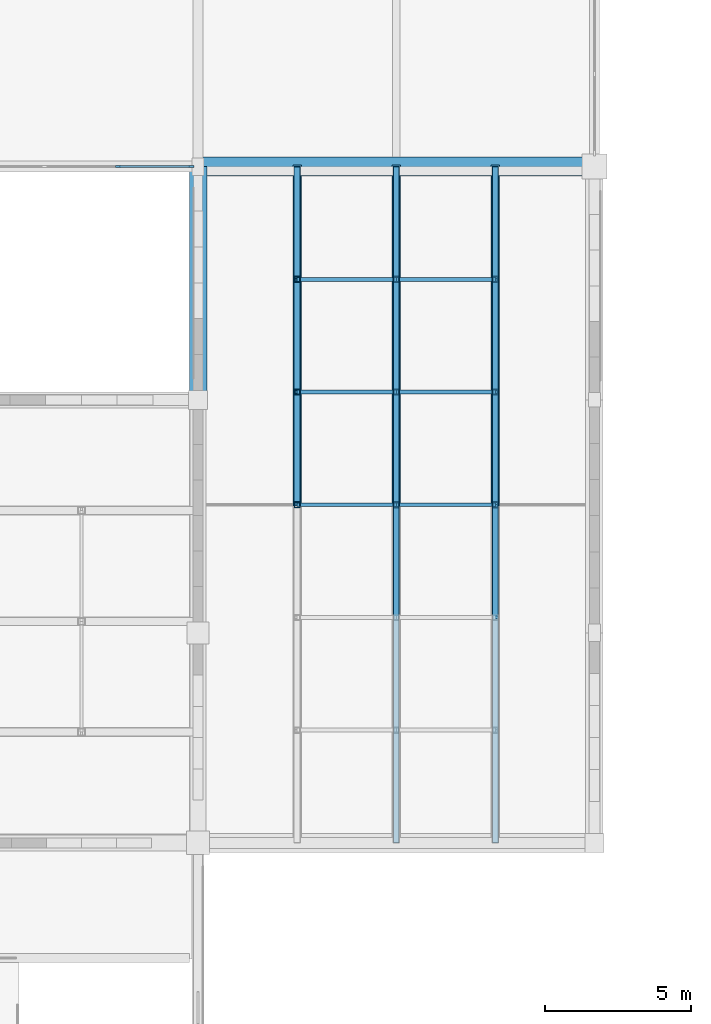
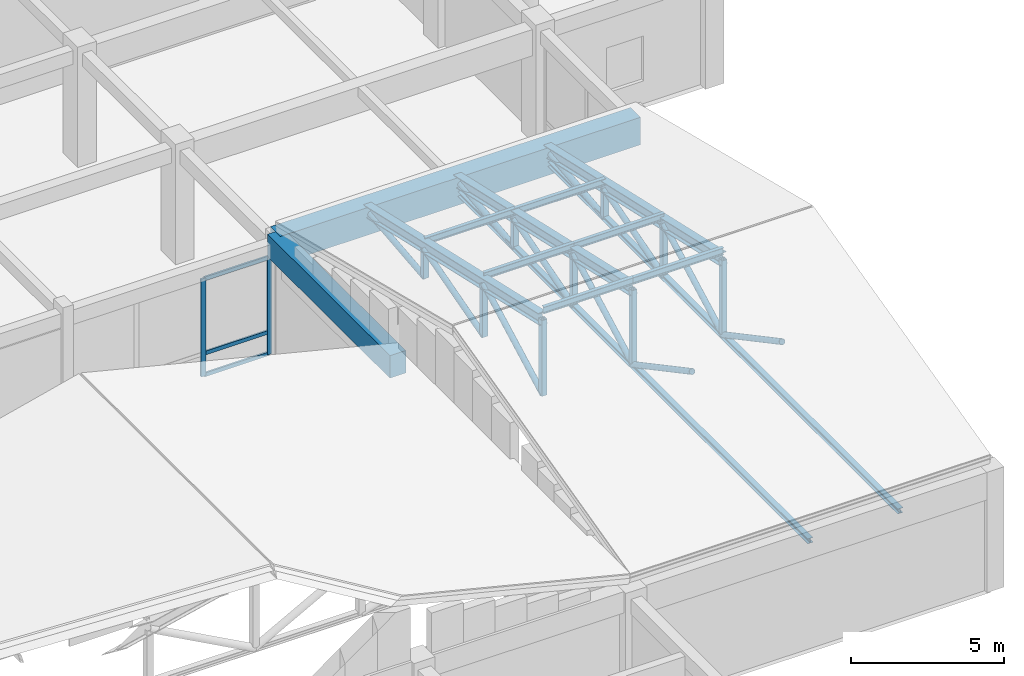
# One storey, part 30 of 61: 36 members, 2 beams, 1 element without a shape of its own.
"""IFC4 building model written with IfcOpenShell, lengths in metres."""

from ifc_helpers import new_model, si_unit, direction, frame, origin, origin_2d, place, context, subcontext, project, spatial, rectangle, hollow_rectangle, hollow_circle, i_section, extrude, material, material_profile, profile_set, type_object, element, aggregate, save


model = new_model("IFC4")

# Units and contexts
model_context = context("Model", 3, precision=1e-05, world=origin(), true_north=direction((0.0, 1.0)))
body_context = subcontext(model_context, "Body", "Model", "MODEL_VIEW")
ifc_project = project(units=[si_unit("LENGTHUNIT", "METRE"), si_unit("AREAUNIT", "SQUARE_METRE"), si_unit("VOLUMEUNIT", "CUBIC_METRE"), si_unit("PLANEANGLEUNIT", "RADIAN"), si_unit("MASSUNIT", "GRAM", prefix="KILO")], contexts=[model_context])

# Site, building, storey
site_placement = place(None, origin())
site = spatial("IfcSite", under=ifc_project, at=site_placement, CompositionType="ELEMENT")
building_placement = place(site_placement, origin())
building = spatial("IfcBuilding", under=site, at=building_placement, Name="Vellmiral Cinema and Media Centre", CompositionType="ELEMENT")
storey_placement = place(building_placement, frame((0.0, 0.0, 10.800048828125)))
storey = spatial("IfcBuildingStorey", under=building, at=storey_placement, Name="L02", CompositionType="ELEMENT", Elevation=10.800048828125)

# Curtain wall, members
ifc_material_1 = material(Name="Thermally Broken Aluminium and Triple Glazing", Category="aluminium")
curtain_wall_type = type_object("IfcCurtainWallType", Name="CW-POD-GALLERY", PredefinedType="USERDEFINED", material=ifc_material_1)
curtain_wall_placement = place(storey_placement, origin())
curtain_wall = element("IfcCurtainWall", 1, at=curtain_wall_placement, inside=storey, type_object=curtain_wall_type, Name="Curtain Wall L02-B023", ObjectType="STICK CURTAIN WALL", PredefinedType="USERDEFINED")
ifc_material_2 = material(Name="Thermally Broken Anodised Aluminium", Category="aluminium")
ifc_material_profile_1 = material_profile(ifc_material_2, rectangle(XDim=0.070068359375, YDim=0.179931640625, at=origin_2d()), Name="MULL 70x180")
ifc_profile_set_1 = profile_set([ifc_material_profile_1], Name="Thermally Broken Anodised Aluminium")
member_type_1 = type_object("IfcMemberType", Name="CWM-70x180", PredefinedType="MULLION", material=ifc_profile_set_1)
member_1_placement = place(storey_placement, frame((145.2666015625, 59.199951171875, 0.0), z_axis=(0.0, 0.0, 1.0), x_axis=(0.0, 1.0, 0.0)))
member_1 = element("IfcMember", 2, at=member_1_placement, type_object=member_type_1, Name="CW-04 mullion 3", PredefinedType="MULLION", context=body_context, shape_type="SweptSolid", body=[
    extrude(rectangle(XDim=0.070068359375, YDim=0.179931640625, at=origin_2d()), origin(), (0.0, 0.0, 1.0), 3.89990234375),
])
member_2_placement = place(storey_placement, frame((147.764892578125, 59.199951171875, 0.0), z_axis=(0.0, 0.0, 1.0), x_axis=(0.0, 1.0, 0.0)))
member_2 = element("IfcMember", 3, at=member_2_placement, type_object=member_type_1, Name="CW-04 mullion 4", PredefinedType="MULLION", context=body_context, shape_type="SweptSolid", body=[
    extrude(rectangle(XDim=0.070068359375, YDim=0.179931640625, at=origin_2d()), origin(), (0.0, 0.0, 1.0), 3.89990234375),
])
ifc_material_3 = material(Name="Thermally Broken Anodised Aluminium", Category="aluminium")
ifc_material_profile_2 = material_profile(ifc_material_3, rectangle(XDim=0.070068359375, YDim=0.14990234375, at=origin_2d()), Name="MULL 70x150")
ifc_profile_set_2 = profile_set([ifc_material_profile_2], Name="Thermally Broken Anodised Aluminium")
member_type_2 = type_object("IfcMemberType", Name="CWT-70x150", PredefinedType="USERDEFINED", material=ifc_profile_set_2)
member_3_placement = place(storey_placement, frame((145.3017578125, 59.199951171875, 0.034912109375), z_axis=(1.0, 0.0, 0.0), x_axis=(0.0, 1.0, 0.0)))
member_3 = element("IfcMember", 4, at=member_3_placement, type_object=member_type_2, Name="CW-04 transom 3.1", ObjectType="TRANSOM", PredefinedType="USERDEFINED", context=body_context, shape_type="SweptSolid", body=[
    extrude(rectangle(XDim=0.070068359375, YDim=0.14990234375, at=origin_2d()), origin(), (0.0, 0.0, 1.0), 2.42822265625),
])
member_4_placement = place(storey_placement, frame((145.3017578125, 59.199951171875, 0.89990234375), z_axis=(1.0, 0.0, 0.0), x_axis=(0.0, 1.0, 0.0)))
member_4 = element("IfcMember", 5, at=member_4_placement, type_object=member_type_2, Name="CW-04 transom 3.2", ObjectType="TRANSOM", PredefinedType="USERDEFINED", context=body_context, shape_type="SweptSolid", body=[
    extrude(rectangle(XDim=0.070068359375, YDim=0.14990234375, at=origin_2d()), origin(), (0.0, 0.0, 1.0), 2.42822265625),
])
member_5_placement = place(storey_placement, frame((145.3017578125, 59.199951171875, 3.864990234375), z_axis=(1.0, 0.0, 0.0), x_axis=(0.0, 1.0, 0.0)))
member_5 = element("IfcMember", 6, at=member_5_placement, type_object=member_type_2, Name="CW-04 transom 3.3", ObjectType="TRANSOM", PredefinedType="USERDEFINED", context=body_context, shape_type="SweptSolid", body=[
    extrude(rectangle(XDim=0.070068359375, YDim=0.14990234375, at=origin_2d()), origin(), (0.0, 0.0, 1.0), 2.42822265625),
])
aggregate(curtain_wall, [member_1, member_2, member_3, member_4, member_5])

# Members
ifc_material_4 = material(Name="Steel S355", Category="steel")
ifc_material_profile_3 = material_profile(ifc_material_4, i_section(OverallWidth=0.135009765625, OverallDepth=0.27001953125, WebThickness=0.006591796875, FlangeThickness=0.01025390625, FilletRadius=0.014892578125, at=origin_2d()), Name="IPE 270")
ifc_profile_set_3 = profile_set([ifc_material_profile_3], Name="Steel S355")
member_type_3 = type_object("IfcMemberType", Name="PRL-IPE270", PredefinedType="PURLIN", material=ifc_profile_set_3)
member_6_placement = place(storey_placement, frame((151.39990234375, 47.60009765625, 7.522216796875), z_axis=(1.0, 0.0, 0.0), x_axis=(0.0, 1.0, 0.0)))
element("IfcMember", 7, at=member_6_placement, inside=storey, type_object=member_type_3, Name="Roof Purlin 7.3.1", PredefinedType="PURLIN", context=body_context, shape_type="SweptSolid", body=[
    extrude(i_section(OverallWidth=0.135009765625, OverallDepth=0.27001953125, WebThickness=0.006591796875, FlangeThickness=0.01025390625, FilletRadius=0.014892578125, at=origin_2d()), origin(), (0.0, 0.0, 1.0), 3.400146484375),
])
member_7_placement = place(storey_placement, frame((154.800048828125, 47.60009765625, 7.522216796875), z_axis=(1.0, 0.0, 0.0), x_axis=(0.0, 1.0, 0.0)))
element("IfcMember", 8, at=member_7_placement, inside=storey, type_object=member_type_3, Name="Roof Purlin 7.3.2", PredefinedType="PURLIN", context=body_context, shape_type="SweptSolid", body=[
    extrude(i_section(OverallWidth=0.135009765625, OverallDepth=0.27001953125, WebThickness=0.006591796875, FlangeThickness=0.01025390625, FilletRadius=0.014892578125, at=origin_2d()), origin(), (0.0, 0.0, 1.0), 3.39990234375),
])
member_8_placement = place(storey_placement, frame((151.39990234375, 51.466552734375, 6.55810546875), z_axis=(1.0, 0.0, 0.0), x_axis=(0.0, 1.0, 0.0)))
element("IfcMember", 9, at=member_8_placement, inside=storey, type_object=member_type_3, Name="Roof Purlin 7.4.1", PredefinedType="PURLIN", context=body_context, shape_type="SweptSolid", body=[
    extrude(i_section(OverallWidth=0.135009765625, OverallDepth=0.27001953125, WebThickness=0.006591796875, FlangeThickness=0.01025390625, FilletRadius=0.014892578125, at=origin_2d()), origin(), (0.0, 0.0, 1.0), 3.400146484375),
])
member_9_placement = place(storey_placement, frame((154.800048828125, 51.466552734375, 6.55810546875), z_axis=(1.0, 0.0, 0.0), x_axis=(0.0, 1.0, 0.0)))
element("IfcMember", 10, at=member_9_placement, inside=storey, type_object=member_type_3, Name="Roof Purlin 7.4.2", PredefinedType="PURLIN", context=body_context, shape_type="SweptSolid", body=[
    extrude(i_section(OverallWidth=0.135009765625, OverallDepth=0.27001953125, WebThickness=0.006591796875, FlangeThickness=0.01025390625, FilletRadius=0.014892578125, at=origin_2d()), origin(), (0.0, 0.0, 1.0), 3.39990234375),
])
member_10_placement = place(storey_placement, frame((151.39990234375, 55.333251953125, 5.593994140625), z_axis=(1.0, 0.0, 0.0), x_axis=(0.0, 1.0, 0.0)))
element("IfcMember", 11, at=member_10_placement, inside=storey, type_object=member_type_3, Name="Roof Purlin 7.5.1", PredefinedType="PURLIN", context=body_context, shape_type="SweptSolid", body=[
    extrude(i_section(OverallWidth=0.135009765625, OverallDepth=0.27001953125, WebThickness=0.006591796875, FlangeThickness=0.01025390625, FilletRadius=0.014892578125, at=origin_2d()), origin(), (0.0, 0.0, 1.0), 3.400146484375),
])
member_11_placement = place(storey_placement, frame((154.800048828125, 55.333251953125, 5.593994140625), z_axis=(1.0, 0.0, 0.0), x_axis=(0.0, 1.0, 0.0)))
element("IfcMember", 12, at=member_11_placement, inside=storey, type_object=member_type_3, Name="Roof Purlin 7.5.2", PredefinedType="PURLIN", context=body_context, shape_type="SweptSolid", body=[
    extrude(i_section(OverallWidth=0.135009765625, OverallDepth=0.27001953125, WebThickness=0.006591796875, FlangeThickness=0.01025390625, FilletRadius=0.014892578125, at=origin_2d()), origin(), (0.0, 0.0, 1.0), 3.39990234375),
])

# Beams
ifc_material_5 = material(Name="Concrete C40/50", Category="concrete")
ifc_material_profile_4 = material_profile(ifc_material_5, rectangle(XDim=0.60009765625, YDim=0.89990234375, at=origin_2d()), Name="RC 600x900")
ifc_profile_set_4 = profile_set([ifc_material_profile_4], Name="Concrete C40/50")
beam_type_1 = type_object("IfcBeamType", Name="RING-BM-600x900", PredefinedType="BEAM", material=ifc_profile_set_4)
beam_1_placement = place(storey_placement, frame((148.0, 51.199951171875, 4.349853515625), z_axis=(0.0, 1.0, 0.0), x_axis=(-1.0, 0.0, 0.0)))
element("IfcBeam", 13, at=beam_1_placement, inside=storey, type_object=beam_type_1, Name="Cinema Screen 7 Ring Beam 03", PredefinedType="BEAM", context=body_context, shape_type="SweptSolid", body=[
    extrude(rectangle(XDim=0.60009765625, YDim=0.89990234375, at=origin_2d()), origin(), (0.0, 0.0, 1.0), 8.0),
])
ifc_material_6 = material(Name="Concrete C40/50", Category="concrete")
ifc_material_profile_5 = material_profile(ifc_material_6, rectangle(XDim=0.64990234375, YDim=1.10009765625, at=origin_2d()), Name="RC 650x1100")
ifc_profile_set_5 = profile_set([ifc_material_profile_5], Name="Concrete C40/50")
beam_type_2 = type_object("IfcBeamType", Name="RING-BMG-650x1100", PredefinedType="BEAM", material=ifc_profile_set_5)
beam_2_placement = place(storey_placement, frame((148.0, 59.199951171875, 4.25), z_axis=(1.0, 0.0, 0.0), x_axis=(0.0, 1.0, 0.0)))
element("IfcBeam", 14, at=beam_2_placement, inside=storey, type_object=beam_type_2, Name="Cinema Screen 7 Ring Beam 02", PredefinedType="BEAM", context=body_context, shape_type="SweptSolid", body=[
    extrude(rectangle(XDim=0.64990234375, YDim=1.10009765625, at=origin_2d()), origin(), (0.0, 0.0, 1.0), 13.60009765625),
])

# Members
ifc_material_7 = material(Name="Steel S355", Category="steel")
ifc_material_profile_6 = material_profile(ifc_material_7, hollow_circle(Radius=0.109619140625, WallThickness=0.010009765625, at=origin_2d()), Name="CHS 219.1x10.0")
ifc_profile_set_6 = profile_set([ifc_material_profile_6], Name="Steel S355")
member_type_4 = type_object("IfcMemberType", Name="TBR-CHS219", PredefinedType="BRACE", material=ifc_profile_set_6)
member_12_placement = place(storey_placement, frame((151.39990234375, 47.60009765625, 4.14990234375), z_axis=(0.0, 0.882246514544, 0.470787730909), x_axis=(-1.0, 0.0, 0.0)))
element("IfcMember", 15, at=member_12_placement, inside=storey, type_object=member_type_4, Name="Roof Truss TR-07.1 Diagonal 4", PredefinedType="BRACE", context=body_context, shape_type="SweptSolid", body=[
    extrude(hollow_circle(Radius=0.109619140625, WallThickness=0.010009765625, at=origin_2d()), origin(), (0.0, 0.0, 1.0), 4.382568359375),
])
member_13_placement = place(storey_placement, frame((151.39990234375, 51.466552734375, 4.14990234375), z_axis=(0.0, 0.961894344951, 0.273421413118), x_axis=(-1.0, 0.0, 0.0)))
element("IfcMember", 16, at=member_13_placement, inside=storey, type_object=member_type_4, Name="Roof Truss TR-07.1 Diagonal 5", PredefinedType="BRACE", context=body_context, shape_type="SweptSolid", body=[
    extrude(hollow_circle(Radius=0.109619140625, WallThickness=0.010009765625, at=origin_2d()), origin(), (0.0, 0.0, 1.0), 4.019775390625),
])
member_14_placement = place(storey_placement, frame((151.39990234375, 55.333251953125, 4.14990234375), z_axis=(0.0, 0.994688024926, 0.102935577273), x_axis=(-1.0, 0.0, 0.0)))
element("IfcMember", 17, at=member_14_placement, inside=storey, type_object=member_type_4, Name="Roof Truss TR-07.1 Diagonal 6", PredefinedType="BRACE", context=body_context, shape_type="SweptSolid", body=[
    extrude(hollow_circle(Radius=0.109619140625, WallThickness=0.010009765625, at=origin_2d()), origin(), (0.0, 0.0, 1.0), 3.887451171875),
])
member_15_placement = place(storey_placement, frame((154.800048828125, 43.7333984375, 6.213134765625), z_axis=(0.0, 0.8822588608, -0.470764593549), x_axis=(-1.0, 0.0, 0.0)))
element("IfcMember", 18, at=member_15_placement, inside=storey, type_object=member_type_4, Name="Roof Truss TR-07.2 Diagonal 3", PredefinedType="BRACE", context=body_context, shape_type="SweptSolid", body=[
    extrude(hollow_circle(Radius=0.109619140625, WallThickness=0.010009765625, at=origin_2d()), origin(), (0.0, 0.0, 1.0), 4.3828125),
])
member_16_placement = place(storey_placement, frame((154.800048828125, 47.60009765625, 4.14990234375), z_axis=(0.0, 0.882246514544, 0.470787730909), x_axis=(-1.0, 0.0, 0.0)))
element("IfcMember", 19, at=member_16_placement, inside=storey, type_object=member_type_4, Name="Roof Truss TR-07.2 Diagonal 4", PredefinedType="BRACE", context=body_context, shape_type="SweptSolid", body=[
    extrude(hollow_circle(Radius=0.109619140625, WallThickness=0.010009765625, at=origin_2d()), origin(), (0.0, 0.0, 1.0), 4.382568359375),
])
member_17_placement = place(storey_placement, frame((154.800048828125, 51.466552734375, 4.14990234375), z_axis=(0.0, 0.961894344951, 0.273421413118), x_axis=(-1.0, 0.0, 0.0)))
element("IfcMember", 20, at=member_17_placement, inside=storey, type_object=member_type_4, Name="Roof Truss TR-07.2 Diagonal 5", PredefinedType="BRACE", context=body_context, shape_type="SweptSolid", body=[
    extrude(hollow_circle(Radius=0.109619140625, WallThickness=0.010009765625, at=origin_2d()), origin(), (0.0, 0.0, 1.0), 4.019775390625),
])
member_18_placement = place(storey_placement, frame((154.800048828125, 55.333251953125, 4.14990234375), z_axis=(0.0, 0.994688024926, 0.102935577273), x_axis=(-1.0, 0.0, 0.0)))
element("IfcMember", 21, at=member_18_placement, inside=storey, type_object=member_type_4, Name="Roof Truss TR-07.2 Diagonal 6", PredefinedType="BRACE", context=body_context, shape_type="SweptSolid", body=[
    extrude(hollow_circle(Radius=0.109619140625, WallThickness=0.010009765625, at=origin_2d()), origin(), (0.0, 0.0, 1.0), 3.887451171875),
])
member_19_placement = place(storey_placement, frame((158.199951171875, 43.7333984375, 6.213134765625), z_axis=(0.0, 0.8822588608, -0.470764593549), x_axis=(-1.0, 0.0, 0.0)))
element("IfcMember", 22, at=member_19_placement, inside=storey, type_object=member_type_4, Name="Roof Truss TR-07.3 Diagonal 3", PredefinedType="BRACE", context=body_context, shape_type="SweptSolid", body=[
    extrude(hollow_circle(Radius=0.109619140625, WallThickness=0.010009765625, at=origin_2d()), origin(), (0.0, 0.0, 1.0), 4.3828125),
])
member_20_placement = place(storey_placement, frame((158.199951171875, 47.60009765625, 4.14990234375), z_axis=(0.0, 0.882246514544, 0.470787730909), x_axis=(-1.0, 0.0, 0.0)))
element("IfcMember", 23, at=member_20_placement, inside=storey, type_object=member_type_4, Name="Roof Truss TR-07.3 Diagonal 4", PredefinedType="BRACE", context=body_context, shape_type="SweptSolid", body=[
    extrude(hollow_circle(Radius=0.109619140625, WallThickness=0.010009765625, at=origin_2d()), origin(), (0.0, 0.0, 1.0), 4.382568359375),
])
member_21_placement = place(storey_placement, frame((158.199951171875, 51.466552734375, 4.14990234375), z_axis=(0.0, 0.961894344951, 0.273421413118), x_axis=(-1.0, 0.0, 0.0)))
element("IfcMember", 24, at=member_21_placement, inside=storey, type_object=member_type_4, Name="Roof Truss TR-07.3 Diagonal 5", PredefinedType="BRACE", context=body_context, shape_type="SweptSolid", body=[
    extrude(hollow_circle(Radius=0.109619140625, WallThickness=0.010009765625, at=origin_2d()), origin(), (0.0, 0.0, 1.0), 4.019775390625),
])
member_22_placement = place(storey_placement, frame((158.199951171875, 55.333251953125, 4.14990234375), z_axis=(0.0, 0.994688024926, 0.102935577273), x_axis=(-1.0, 0.0, 0.0)))
element("IfcMember", 25, at=member_22_placement, inside=storey, type_object=member_type_4, Name="Roof Truss TR-07.3 Diagonal 6", PredefinedType="BRACE", context=body_context, shape_type="SweptSolid", body=[
    extrude(hollow_circle(Radius=0.109619140625, WallThickness=0.010009765625, at=origin_2d()), origin(), (0.0, 0.0, 1.0), 3.887451171875),
])
ifc_material_8 = material(Name="Steel S355", Category="steel")
ifc_material_profile_7 = material_profile(ifc_material_8, hollow_rectangle(XDim=0.199951171875, YDim=0.199951171875, WallThickness=0.010009765625, at=origin_2d()), Name="SHS 200x200x10.0")
ifc_profile_set_7 = profile_set([ifc_material_profile_7], Name="Steel S355")
member_type_5 = type_object("IfcMemberType", Name="TBR-SHS200", PredefinedType="BRACE", material=ifc_profile_set_7)
member_23_placement = place(storey_placement, frame((151.39990234375, 47.60009765625, 4.14990234375), z_axis=(0.0, 0.0, 1.0), x_axis=(1.0, 0.0, 0.0)))
element("IfcMember", 26, at=member_23_placement, inside=storey, type_object=member_type_5, Name="Roof Truss TR-07.1 Post 3", PredefinedType="BRACE", context=body_context, shape_type="SweptSolid", body=[
    extrude(hollow_rectangle(XDim=0.199951171875, YDim=0.199951171875, WallThickness=0.010009765625, at=origin_2d()), origin(), (0.0, 0.0, 1.0), 3.02734375),
])
member_24_placement = place(storey_placement, frame((151.39990234375, 51.466552734375, 4.14990234375), z_axis=(0.0, 0.0, 1.0), x_axis=(1.0, 0.0, 0.0)))
element("IfcMember", 27, at=member_24_placement, inside=storey, type_object=member_type_5, Name="Roof Truss TR-07.1 Post 4", PredefinedType="BRACE", context=body_context, shape_type="SweptSolid", body=[
    extrude(hollow_rectangle(XDim=0.199951171875, YDim=0.199951171875, WallThickness=0.010009765625, at=origin_2d()), origin(), (0.0, 0.0, 1.0), 2.063232421875),
])
member_25_placement = place(storey_placement, frame((151.39990234375, 55.333251953125, 4.14990234375), z_axis=(0.0, 0.0, 1.0), x_axis=(1.0, 0.0, 0.0)))
element("IfcMember", 28, at=member_25_placement, inside=storey, type_object=member_type_5, Name="Roof Truss TR-07.1 Post 5", PredefinedType="BRACE", context=body_context, shape_type="SweptSolid", body=[
    extrude(hollow_rectangle(XDim=0.199951171875, YDim=0.199951171875, WallThickness=0.010009765625, at=origin_2d()), origin(), (0.0, 0.0, 1.0), 1.09912109375),
])
member_26_placement = place(storey_placement, frame((154.800048828125, 47.60009765625, 4.14990234375), z_axis=(0.0, 0.0, 1.0), x_axis=(1.0, 0.0, 0.0)))
element("IfcMember", 29, at=member_26_placement, inside=storey, type_object=member_type_5, Name="Roof Truss TR-07.2 Post 3", PredefinedType="BRACE", context=body_context, shape_type="SweptSolid", body=[
    extrude(hollow_rectangle(XDim=0.199951171875, YDim=0.199951171875, WallThickness=0.010009765625, at=origin_2d()), origin(), (0.0, 0.0, 1.0), 3.02734375),
])
member_27_placement = place(storey_placement, frame((154.800048828125, 51.466552734375, 4.14990234375), z_axis=(0.0, 0.0, 1.0), x_axis=(1.0, 0.0, 0.0)))
element("IfcMember", 30, at=member_27_placement, inside=storey, type_object=member_type_5, Name="Roof Truss TR-07.2 Post 4", PredefinedType="BRACE", context=body_context, shape_type="SweptSolid", body=[
    extrude(hollow_rectangle(XDim=0.199951171875, YDim=0.199951171875, WallThickness=0.010009765625, at=origin_2d()), origin(), (0.0, 0.0, 1.0), 2.063232421875),
])
member_28_placement = place(storey_placement, frame((154.800048828125, 55.333251953125, 4.14990234375), z_axis=(0.0, 0.0, 1.0), x_axis=(1.0, 0.0, 0.0)))
element("IfcMember", 31, at=member_28_placement, inside=storey, type_object=member_type_5, Name="Roof Truss TR-07.2 Post 5", PredefinedType="BRACE", context=body_context, shape_type="SweptSolid", body=[
    extrude(hollow_rectangle(XDim=0.199951171875, YDim=0.199951171875, WallThickness=0.010009765625, at=origin_2d()), origin(), (0.0, 0.0, 1.0), 1.09912109375),
])
member_29_placement = place(storey_placement, frame((158.199951171875, 47.60009765625, 4.14990234375), z_axis=(0.0, 0.0, 1.0), x_axis=(1.0, 0.0, 0.0)))
element("IfcMember", 32, at=member_29_placement, inside=storey, type_object=member_type_5, Name="Roof Truss TR-07.3 Post 3", PredefinedType="BRACE", context=body_context, shape_type="SweptSolid", body=[
    extrude(hollow_rectangle(XDim=0.199951171875, YDim=0.199951171875, WallThickness=0.010009765625, at=origin_2d()), origin(), (0.0, 0.0, 1.0), 3.02734375),
])
member_30_placement = place(storey_placement, frame((158.199951171875, 51.466552734375, 4.14990234375), z_axis=(0.0, 0.0, 1.0), x_axis=(1.0, 0.0, 0.0)))
element("IfcMember", 33, at=member_30_placement, inside=storey, type_object=member_type_5, Name="Roof Truss TR-07.3 Post 4", PredefinedType="BRACE", context=body_context, shape_type="SweptSolid", body=[
    extrude(hollow_rectangle(XDim=0.199951171875, YDim=0.199951171875, WallThickness=0.010009765625, at=origin_2d()), origin(), (0.0, 0.0, 1.0), 2.063232421875),
])
member_31_placement = place(storey_placement, frame((158.199951171875, 55.333251953125, 4.14990234375), z_axis=(0.0, 0.0, 1.0), x_axis=(1.0, 0.0, 0.0)))
element("IfcMember", 34, at=member_31_placement, inside=storey, type_object=member_type_5, Name="Roof Truss TR-07.3 Post 5", PredefinedType="BRACE", context=body_context, shape_type="SweptSolid", body=[
    extrude(hollow_rectangle(XDim=0.199951171875, YDim=0.199951171875, WallThickness=0.010009765625, at=origin_2d()), origin(), (0.0, 0.0, 1.0), 1.09912109375),
])
ifc_material_9 = material(Name="Steel S355", Category="steel")
ifc_material_profile_8 = material_profile(ifc_material_9, i_section(OverallWidth=0.300048828125, OverallDepth=0.43994140625, WebThickness=0.011474609375, FlangeThickness=0.02099609375, FilletRadius=0.027099609375, at=origin_2d()), Name="HEA 450")
ifc_profile_set_8 = profile_set([ifc_material_profile_8], Name="Steel S355")
member_type_6 = type_object("IfcMemberType", Name="TCH-HEA450", PredefinedType="CHORD", material=ifc_profile_set_8)
for number, where, z_axis, x_axis, name in (
    (35, (151.39990234375, 47.60009765625, 7.17724609375), (0.0, 0.975298532381, -0.220890861595), (-1.0, 0.0, 0.0), "Roof Truss TR-07.1 Top Chord N"),
    (36, (154.800048828125, 47.60009765625, 7.17724609375), (0.0, 0.975298532381, -0.220890861595), (-1.0, 0.0, 0.0), "Roof Truss TR-07.2 Top Chord N"),
    (37, (158.199951171875, 47.60009765625, 7.17724609375), (0.0, 0.975298532381, -0.220890861595), (-1.0, 0.0, 0.0), "Roof Truss TR-07.3 Top Chord N"),
):
    element("IfcMember", number, at=place(storey_placement, frame(where, z_axis=z_axis, x_axis=x_axis)), inside=storey, type_object=member_type_6, Name=name, PredefinedType="CHORD", context=body_context, shape_type="SweptSolid", body=[
        extrude(i_section(OverallWidth=0.300048828125, OverallDepth=0.43994140625, WebThickness=0.011474609375, FlangeThickness=0.02099609375, FilletRadius=0.027099609375, at=origin_2d()), origin(), (0.0, 0.0, 1.0), 11.8935546875),
    ])
ifc_material_10 = material(Name="Steel S355", Category="steel")
ifc_material_profile_9 = material_profile(ifc_material_10, i_section(OverallWidth=0.199951171875, OverallDepth=0.199951171875, WebThickness=0.009033203125, FlangeThickness=0.014892578125, FilletRadius=0.01806640625, at=origin_2d()), Name="HEB 200")
ifc_profile_set_9 = profile_set([ifc_material_profile_9], Name="Steel S355")
member_type_7 = type_object("IfcMemberType", Name="TCH-HEB200", PredefinedType="CHORD", material=ifc_profile_set_9)
for number, where, z_axis, x_axis, name in (
    (38, (154.800048828125, 36.0, 4.14990234375), (0.0, 1.0, 0.0), (-1.0, 0.0, 0.0), "Roof Truss TR-07.2 Bottom Chord"),
    (39, (158.199951171875, 36.0, 4.14990234375), (0.0, 1.0, 0.0), (-1.0, 0.0, 0.0), "Roof Truss TR-07.3 Bottom Chord"),
):
    element("IfcMember", number, at=place(storey_placement, frame(where, z_axis=z_axis, x_axis=x_axis)), inside=storey, type_object=member_type_7, Name=name, PredefinedType="CHORD", context=body_context, shape_type="SweptSolid", body=[
        extrude(i_section(OverallWidth=0.199951171875, OverallDepth=0.199951171875, WebThickness=0.009033203125, FlangeThickness=0.014892578125, FilletRadius=0.01806640625, at=origin_2d()), origin(), (0.0, 0.0, 1.0), 23.199951171875),
    ])

save(model, "model.ifc")
